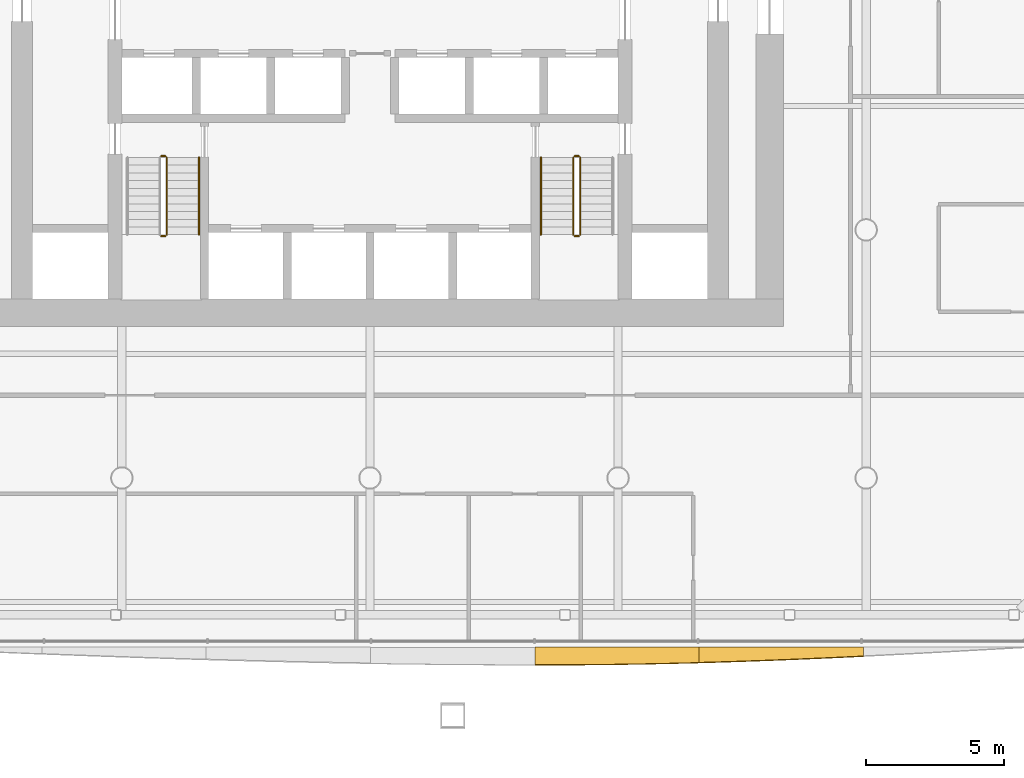
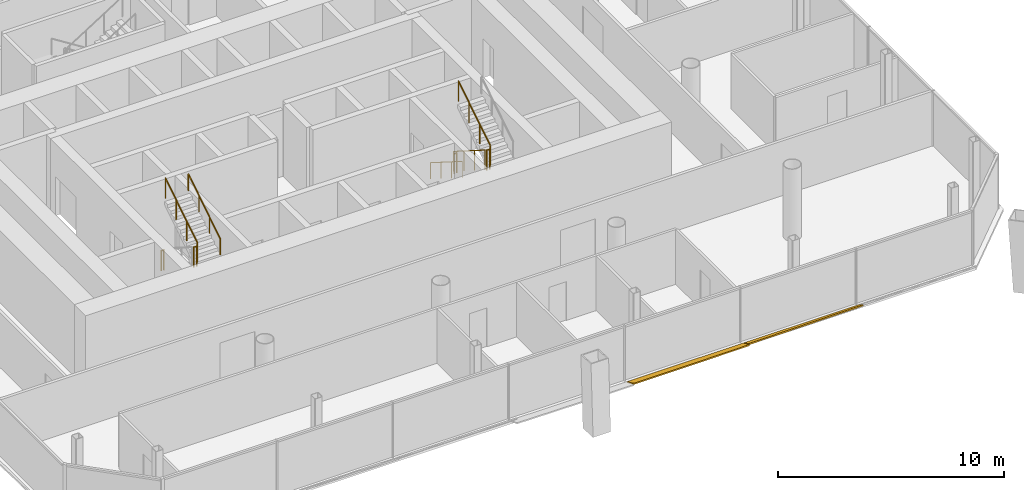
# One storey, part 16 of 19: 9 railings, 2 shading devices.
"""IFC4 building model written with IfcOpenShell, lengths in metres."""

from ifc_helpers import new_model, si_unit, direction, frame, origin, origin_2d, place, context, subcontext, project, spatial, polyline, circle, outline, extrude, material, layer, layer_set, type_object, element, save


model = new_model("IFC4")

# Units and contexts
model_context = context("Model", 3, precision=1e-05, world=origin(), true_north=direction((0.0, 1.0)))
body_context = subcontext(model_context, "Body", "Model", "MODEL_VIEW")
ifc_project = project(units=[si_unit("LENGTHUNIT", "METRE"), si_unit("AREAUNIT", "SQUARE_METRE"), si_unit("VOLUMEUNIT", "CUBIC_METRE"), si_unit("PLANEANGLEUNIT", "RADIAN"), si_unit("MASSUNIT", "GRAM", prefix="KILO")], contexts=[model_context])

# Site, building, storey
site_placement = place(None, origin())
site = spatial("IfcSite", under=ifc_project, at=site_placement, CompositionType="ELEMENT")
building_placement = place(site_placement, origin())
building = spatial("IfcBuilding", under=site, at=building_placement, Name="Tskaro Facet Tower", CompositionType="ELEMENT")
storey_placement = place(building_placement, frame((0.0, 0.0, 105.0)))
storey = spatial("IfcBuildingStorey", under=building, at=storey_placement, Name="L25", CompositionType="ELEMENT", Elevation=105.0)

# Shading devices
ifc_material_1 = material(Name="Bronze anodised aluminium 6063-T6", Category="aluminium")
ifc_layer = layer(ifc_material_1, 0.06005859375, Name="Bronze anodised aluminium 6063-T6")
ifc_layer_set = layer_set([ifc_layer], Name="Bronze anodised aluminium 6063-T6")
shading_device_type = type_object("IfcShadingDeviceType", Name="Bronze sun blade (FN1)", PredefinedType="USERDEFINED", material=ifc_layer_set)
shading_device_1_placement = place(storey_placement, frame((5.980224609375, -24.1396484375, 0.054443359375), z_axis=(9.786743e-06, 0.422507913244, 0.906359235155), x_axis=(0.999999999952, -4.134976e-06, -8.870305e-06)))
element("IfcShadingDevice", 1, at=shading_device_1_placement, inside=storey, type_object=shading_device_type, Name="Fin blade south 5", ObjectType="FIN", PredefinedType="USERDEFINED", context=body_context, shape_type="SweptSolid", body=[
    extrude(outline(polyline([(0.0, 0.0), (5.960205077839565, 5.048490073564266e-21), (5.960205079096494, -0.6122046928106394), (5.215087890247138, -0.6332810632052287), (4.470214843765137, -0.6518501648783567), (3.725097656381484, -0.667469439609712), (2.9799804687211675, -0.6801388873992944), (2.235107420399659, -0.6896372291369481), (1.4899902343516158, -0.696303871696973), (0.7448730470173933, -0.6997994082050694), (0.27416992189336487, -0.7003451177713926), (3.149492704971528e-11, -0.7003451177713926), (0.0, 0.0)])), origin(), (0.0, 0.0, -1.0), 0.06005859375),
])
shading_device_2_placement = place(storey_placement, frame((11.9404296875, -24.135009765625, 0.052001953125), z_axis=(-4.496358e-06, 0.499942502748, 0.866058597282), x_axis=(0.99999999999, 2.24792e-06, 3.894109e-06)))
element("IfcShadingDevice", 2, at=shading_device_2_placement, inside=storey, type_object=shading_device_type, Name="Fin blade south 6", ObjectType="FIN", PredefinedType="USERDEFINED", context=body_context, shape_type="SweptSolid", body=[
    extrude(outline(polyline([(0.0, 0.0), (5.96020507806475, 0.0), (5.960205078225432, -0.371562860308624), (5.215332031091557, -0.41268584015132137), (4.470214843773407, -0.4521740106453852), (3.725097656092174, -0.48936037906618485), (2.9802246090747593, -0.5245784417760355), (2.2351074216180726, -0.5572832623253929), (1.4899902347490146, -0.5878083370765722), (0.7451171877399709, -0.615698113392172), (-1.1024541509887957e-10, -0.6407411511849629), (0.0, 0.0)])), origin(), (0.0, 0.0, -1.0), 0.06005859375),
])

# Railings
ifc_material_2 = material(Name="Stainless steel", Category="steel")
railing_type_1 = type_object("IfcRailingType", Name="RL-GUARD-1100", PredefinedType="GUARDRAIL", material=ifc_material_2)
railing_1_placement = place(storey_placement, frame((-7.574951171875, -9.22509765625, 1.949951171875)))
element("IfcRailing", 3, at=railing_1_placement, inside=storey, type_object=railing_type_1, Name="L25 ST-1 stair guard 2", PredefinedType="GUARDRAIL", context=body_context, shape_type="SweptSolid", body=[
    extrude(circle(Radius=0.02392578125, at=origin_2d()), frame((0.0, 0.0, 1.076171875), z_axis=(1.0, 0.0, 0.0), x_axis=(0.0, 1.0, 0.0)), (0.0, 0.0, 1.0), 0.14990234375),
    extrude(circle(Radius=0.02099609375, at=origin_2d()), origin(), (0.0, 0.0, 1.0), 1.052001953125),
    extrude(circle(Radius=0.02099609375, at=origin_2d()), frame((0.14990234375, 0.0, 0.0)), (0.0, 0.0, 1.0), 1.052001953125),
])
railing_2_placement = place(storey_placement, frame((-7.375, -9.175048828125, 2.127197265625)))
element("IfcRailing", 4, at=railing_2_placement, inside=storey, type_object=railing_type_1, Name="L25 ST-1 stair guard 3", PredefinedType="GUARDRAIL", context=body_context, shape_type="SweptSolid", body=[
    extrude(circle(Radius=0.02392578125, at=origin_2d()), frame((0.0, 0.0, 1.076171875), z_axis=(0.0, 0.844908973607, 0.534910110503), x_axis=(-1.0, 0.0, 0.0)), (0.0, 0.0, 1.0), 3.31396484375),
    extrude(circle(Radius=0.02099609375, at=origin_2d()), origin(), (0.0, 0.0, 1.0), 1.052001953125),
    extrude(circle(Radius=0.02099609375, at=origin_2d()), frame((0.0, 0.933349609375, 0.5908203125)), (0.0, 0.0, 1.0), 1.052001953125),
    extrude(circle(Radius=0.02099609375, at=origin_2d()), frame((0.0, 1.86669921875, 1.181884765625)), (0.0, 0.0, 1.0), 1.052001953125),
    extrude(circle(Radius=0.02099609375, at=origin_2d()), frame((0.0, 2.800048828125, 1.772705078125)), (0.0, 0.0, 1.0), 1.052001953125),
])
railing_3_placement = place(storey_placement, frame((-7.574951171875, -6.324951171875, 0.0)))
element("IfcRailing", 5, at=railing_3_placement, inside=storey, type_object=railing_type_1, Name="L25 ST-1 stair guard 4", PredefinedType="GUARDRAIL", context=body_context, shape_type="SweptSolid", body=[
    extrude(circle(Radius=0.02392578125, at=origin_2d()), frame((0.0, 0.0, 1.076171875), z_axis=(1.0, 0.0, 0.0), x_axis=(0.0, 1.0, 0.0)), (0.0, 0.0, 1.0), 0.14990234375),
    extrude(circle(Radius=0.02099609375, at=origin_2d()), origin(), (0.0, 0.0, 1.0), 1.052001953125),
    extrude(circle(Radius=0.02099609375, at=origin_2d()), frame((0.14990234375, 0.0, 0.0)), (0.0, 0.0, 1.0), 1.052001953125),
])
railing_4_placement = place(storey_placement, frame((7.375, -6.375, 0.17724609375)))
element("IfcRailing", 6, at=railing_4_placement, inside=storey, type_object=railing_type_1, Name="L25 ST-2 stair guard 1", PredefinedType="GUARDRAIL", context=body_context, shape_type="SweptSolid", body=[
    extrude(circle(Radius=0.02392578125, at=origin_2d()), frame((0.0, 0.0, 1.076171875), z_axis=(0.0, -0.844908973607, 0.534910110503), x_axis=(1.0, 0.0, 0.0)), (0.0, 0.0, 1.0), 3.31396484375),
    extrude(circle(Radius=0.02099609375, at=origin_2d()), origin(), (0.0, 0.0, 1.0), 1.052001953125),
    extrude(circle(Radius=0.02099609375, at=origin_2d()), frame((0.0, -0.933349609375, 0.5908203125)), (0.0, 0.0, 1.0), 1.052001953125),
    extrude(circle(Radius=0.02099609375, at=origin_2d()), frame((0.0, -1.86669921875, 1.181884765625)), (0.0, 0.0, 1.0), 1.052001953125),
    extrude(circle(Radius=0.02099609375, at=origin_2d()), frame((0.0, -2.800048828125, 1.772705078125)), (0.0, 0.0, 1.0), 1.052001953125),
])
railing_5_placement = place(storey_placement, frame((7.425048828125, -9.22509765625, 1.949951171875)))
element("IfcRailing", 7, at=railing_5_placement, inside=storey, type_object=railing_type_1, Name="L25 ST-2 stair guard 2", PredefinedType="GUARDRAIL", context=body_context, shape_type="SweptSolid", body=[
    extrude(circle(Radius=0.02392578125, at=origin_2d()), frame((0.0, 0.0, 1.076171875), z_axis=(1.0, 0.0, 0.0), x_axis=(0.0, 1.0, 0.0)), (0.0, 0.0, 1.0), 0.14990234375),
    extrude(circle(Radius=0.02099609375, at=origin_2d()), origin(), (0.0, 0.0, 1.0), 1.052001953125),
    extrude(circle(Radius=0.02099609375, at=origin_2d()), frame((0.14990234375, 0.0, 0.0)), (0.0, 0.0, 1.0), 1.052001953125),
])
railing_6_placement = place(storey_placement, frame((7.625, -9.175048828125, 2.127197265625)))
element("IfcRailing", 8, at=railing_6_placement, inside=storey, type_object=railing_type_1, Name="L25 ST-2 stair guard 3", PredefinedType="GUARDRAIL", context=body_context, shape_type="SweptSolid", body=[
    extrude(circle(Radius=0.02392578125, at=origin_2d()), frame((0.0, 0.0, 1.076171875), z_axis=(0.0, 0.844908973607, 0.534910110503), x_axis=(-1.0, 0.0, 0.0)), (0.0, 0.0, 1.0), 3.31396484375),
    extrude(circle(Radius=0.02099609375, at=origin_2d()), origin(), (0.0, 0.0, 1.0), 1.052001953125),
    extrude(circle(Radius=0.02099609375, at=origin_2d()), frame((0.0, 0.933349609375, 0.5908203125)), (0.0, 0.0, 1.0), 1.052001953125),
    extrude(circle(Radius=0.02099609375, at=origin_2d()), frame((0.0, 1.86669921875, 1.181884765625)), (0.0, 0.0, 1.0), 1.052001953125),
    extrude(circle(Radius=0.02099609375, at=origin_2d()), frame((0.0, 2.800048828125, 1.772705078125)), (0.0, 0.0, 1.0), 1.052001953125),
])
railing_7_placement = place(storey_placement, frame((7.425048828125, -6.324951171875, 0.0)))
element("IfcRailing", 9, at=railing_7_placement, inside=storey, type_object=railing_type_1, Name="L25 ST-2 stair guard 4", PredefinedType="GUARDRAIL", context=body_context, shape_type="SweptSolid", body=[
    extrude(circle(Radius=0.02392578125, at=origin_2d()), frame((0.0, 0.0, 1.076171875), z_axis=(1.0, 0.0, 0.0), x_axis=(0.0, 1.0, 0.0)), (0.0, 0.0, 1.0), 0.14990234375),
    extrude(circle(Radius=0.02099609375, at=origin_2d()), origin(), (0.0, 0.0, 1.0), 1.052001953125),
    extrude(circle(Radius=0.02099609375, at=origin_2d()), frame((0.14990234375, 0.0, 0.0)), (0.0, 0.0, 1.0), 1.052001953125),
])
railing_type_2 = type_object("IfcRailingType", Name="RL-HANDRAIL-900", PredefinedType="HANDRAIL", material=ifc_material_2)
railing_8_placement = place(storey_placement, frame((-6.199951171875, -9.175048828125, 2.127197265625)))
element("IfcRailing", 10, at=railing_8_placement, inside=storey, type_object=railing_type_2, Name="L25 ST-1 stair handrail 2", PredefinedType="HANDRAIL", context=body_context, shape_type="SweptSolid", body=[
    extrude(circle(Radius=0.02392578125, at=origin_2d()), frame((0.0, 0.0, 0.8759765625), z_axis=(0.0, 0.844908973607, 0.534910110503), x_axis=(-1.0, 0.0, 0.0)), (0.0, 0.0, 1.0), 3.31396484375),
    extrude(circle(Radius=0.02099609375, at=origin_2d()), origin(), (0.0, 0.0, 1.0), 0.851806640625),
    extrude(circle(Radius=0.02099609375, at=origin_2d()), frame((0.0, 0.933349609375, 0.5908203125)), (0.0, 0.0, 1.0), 0.851806640625),
    extrude(circle(Radius=0.02099609375, at=origin_2d()), frame((0.0, 1.86669921875, 1.181884765625)), (0.0, 0.0, 1.0), 0.851806640625),
    extrude(circle(Radius=0.02099609375, at=origin_2d()), frame((0.0, 2.800048828125, 1.772705078125)), (0.0, 0.0, 1.0), 0.851806640625),
])
railing_9_placement = place(storey_placement, frame((6.199951171875, -6.375, 0.17724609375)))
element("IfcRailing", 11, at=railing_9_placement, inside=storey, type_object=railing_type_2, Name="L25 ST-2 stair handrail 1", PredefinedType="HANDRAIL", context=body_context, shape_type="SweptSolid", body=[
    extrude(circle(Radius=0.02392578125, at=origin_2d()), frame((0.0, 0.0, 0.8759765625), z_axis=(0.0, -0.844908973607, 0.534910110503), x_axis=(1.0, 0.0, 0.0)), (0.0, 0.0, 1.0), 3.31396484375),
    extrude(circle(Radius=0.02099609375, at=origin_2d()), origin(), (0.0, 0.0, 1.0), 0.851806640625),
    extrude(circle(Radius=0.02099609375, at=origin_2d()), frame((0.0, -0.933349609375, 0.5908203125)), (0.0, 0.0, 1.0), 0.851806640625),
    extrude(circle(Radius=0.02099609375, at=origin_2d()), frame((0.0, -1.86669921875, 1.181884765625)), (0.0, 0.0, 1.0), 0.851806640625),
    extrude(circle(Radius=0.02099609375, at=origin_2d()), frame((0.0, -2.800048828125, 1.772705078125)), (0.0, 0.0, 1.0), 0.851806640625),
])

save(model, "model.ifc")
